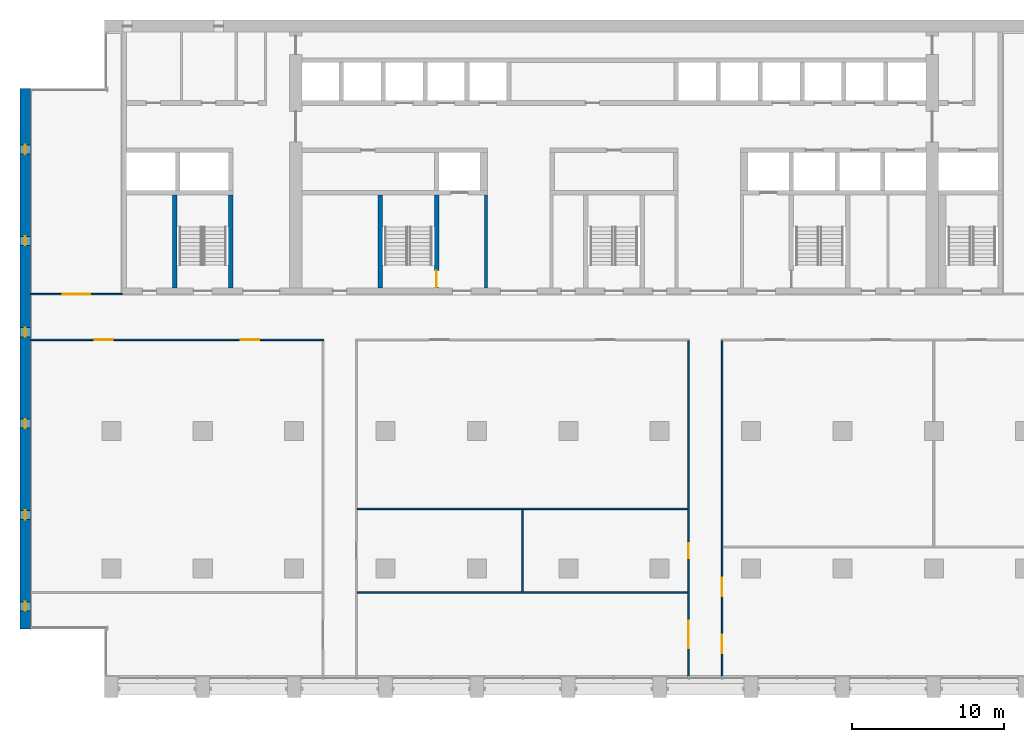
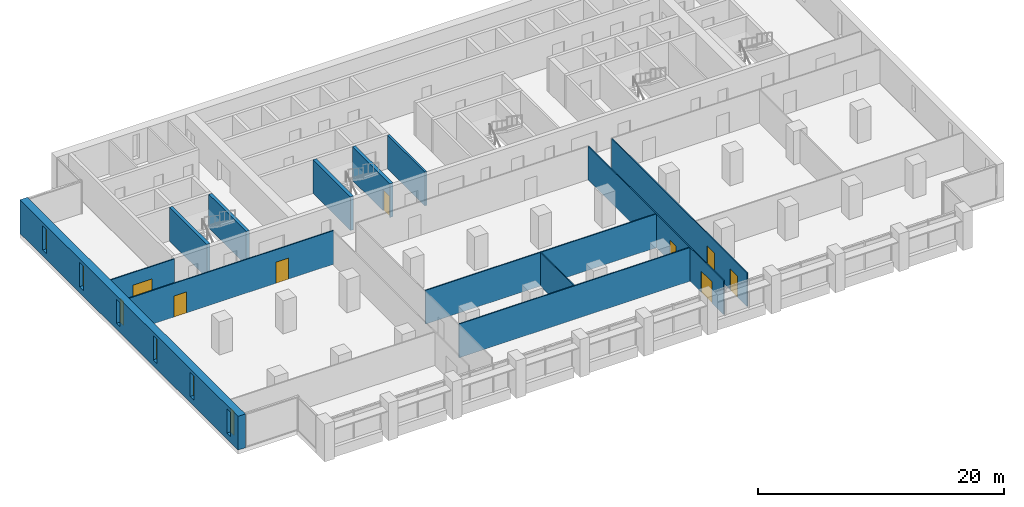
# One storey, part 8 of 15: 13 walls, 8 doors, 6 windows, 14 openings.
"""IFC4 building model written with IfcOpenShell, lengths in metres."""

from ifc_helpers import new_model, si_unit, direction, frame, frame_2d, origin, place, context, subcontext, project, spatial, rectangle, extrude, material, layer, layer_set, type_object, element, fill, save


model = new_model("IFC4")

# Units and contexts
model_context = context("Model", 3, precision=1e-05, world=origin(), true_north=direction((0.0, 1.0)))
body_context = subcontext(model_context, "Body", "Model", "MODEL_VIEW")
ifc_project = project(units=[si_unit("LENGTHUNIT", "METRE"), si_unit("AREAUNIT", "SQUARE_METRE"), si_unit("VOLUMEUNIT", "CUBIC_METRE"), si_unit("PLANEANGLEUNIT", "RADIAN"), si_unit("MASSUNIT", "GRAM", prefix="KILO")], contexts=[model_context])

# Site, building, storey
site_placement = place(None, origin())
site = spatial("IfcSite", under=ifc_project, at=site_placement, CompositionType="ELEMENT")
building_placement = place(site_placement, origin())
building = spatial("IfcBuilding", under=site, at=building_placement, Name="Calvaro Tower", CompositionType="ELEMENT")
storey_placement = place(building_placement, frame((0.0, 0.0, 143.75)))
storey = spatial("IfcBuildingStorey", under=building, at=storey_placement, Name="L36", CompositionType="ELEMENT", Elevation=143.75)

# Walls
ifc_material_1 = material(Name="Blockwork partition", Category="masonry")
ifc_layer_1 = layer(ifc_material_1, 0.199951171875)
ifc_layer_set_1 = layer_set([ifc_layer_1], Name="Blockwork partition")
wall_type_1 = type_object("IfcWallType", Name="Core partition 200 REI 120", PredefinedType="PARTITIONING", material=ifc_layer_set_1)
wall_1_placement = place(storey_placement, frame((30.60009765625, 28.39990234375, 0.0), z_axis=(0.0, 0.0, 1.0), x_axis=(0.0, 1.0, 0.0)))
element("IfcWall", 1, at=wall_1_placement, inside=storey, type_object=wall_type_1, Name="Core partition", PredefinedType="PARTITIONING", context=body_context, shape_type="SweptSolid", body=[
    extrude(rectangle(XDim=6.10009765625, YDim=0.199951171875, at=frame_2d((3.050048828125, 0.0))), origin(), (0.0, 0.0, 1.0), 3.35009765625),
])
ifc_material_2 = material(Name="Concrete C60/75", Category="concrete")
ifc_layer_2 = layer(ifc_material_2, 0.300048828125)
ifc_layer_set_2 = layer_set([ifc_layer_2], Name="Concrete C60/75")
wall_type_2 = type_object("IfcWallType", Name="Core wall C60/75 300", PredefinedType="SHEAR", material=ifc_layer_set_2)
for number, where, z_axis, x_axis, name in (
    (2, (10.14990234375, 28.39990234375, 0.0), (0.0, 0.0, 1.0), (0.0, 1.0, 0.0), "Core wall, stair enclosure"),
    (3, (13.85009765625, 28.39990234375, 0.0), (0.0, 0.0, 1.0), (0.0, 1.0, 0.0), "Core wall, stair enclosure"),
    (4, (23.64990234375, 28.39990234375, 0.0), (0.0, 0.0, 1.0), (0.0, 1.0, 0.0), "Core wall, stair enclosure"),
):
    element("IfcWall", number, at=place(storey_placement, frame(where, z_axis=z_axis, x_axis=x_axis)), inside=storey, type_object=wall_type_2, Name=name, PredefinedType="SHEAR", context=body_context, shape_type="SweptSolid", body=[
        extrude(rectangle(XDim=6.10009765625, YDim=0.300048828125, at=frame_2d((3.050048828125, 0.0))), origin(), (0.0, 0.0, 1.0), 3.35009765625),
    ])

# Wall, opening, door
wall_2_placement = place(storey_placement, frame((27.35009765625, 28.39990234375, 0.0), z_axis=(0.0, 0.0, 1.0), x_axis=(0.0, 1.0, 0.0)))
wall_2 = element("IfcWall", 5, at=wall_2_placement, inside=storey, type_object=wall_type_2, Name="Core wall, stair enclosure", PredefinedType="SHEAR", context=body_context, shape_type="SweptSolid", body=[
    extrude(rectangle(XDim=6.10009765625, YDim=0.300048828125, at=frame_2d((3.050048828125, 0.0))), origin(), (0.0, 0.0, 1.0), 3.35009765625),
])
opening_1_placement = place(wall_2_placement, frame((0.050048828125, 0.0, 0.0)))
opening_1 = element("IfcOpeningElement", 6, at=opening_1_placement, cuts=wall_2, Name="Opening FD11D", PredefinedType="OPENING", context=body_context, shape_type="SweptSolid", body=[
    extrude(rectangle(XDim=1.10009765625, YDim=2.10009765625, at=frame_2d((0.550048828125, 1.050048828125))), frame((0.0, 0.159912109375, 0.0), z_axis=(0.0, -1.0, 0.0), x_axis=(1.0, 0.0, 0.0)), (0.0, 0.0, 1.0), 0.320068359375),
])
ifc_material_3 = material(Name="Steel door set", Category="steel")
door_type_1 = type_object("IfcDoorType", Name="Fire door 1100 FD30S", OperationType="SINGLE_SWING_LEFT", PredefinedType="DOOR", material=ifc_material_3)
door_1_placement = place(opening_1_placement, origin())
door_1 = element("IfcDoor", 7, at=door_1_placement, inside=storey, type_object=door_type_1, Name="Fire door", OperationType="SINGLE_SWING_LEFT", OverallHeight=2.10009765625, OverallWidth=1.10009765625, PredefinedType="DOOR", context=body_context, shape_type="SweptSolid", body=[
    extrude(rectangle(XDim=1.10009765625, YDim=2.10009765625, at=frame_2d((0.550048828125, 1.050048828125))), frame((0.0, 0.02490234375, 0.0), z_axis=(0.0, -1.0, 0.0), x_axis=(1.0, 0.0, 0.0)), (0.0, 0.0, 1.0), 0.050048828125),
])
fill(opening_1, door_1)

# Wall, openings, windows
ifc_material_4 = material(Name="Concrete C60/75", Category="concrete")
ifc_layer_3 = layer(ifc_material_4, 0.699951171875)
ifc_layer_set_3 = layer_set([ifc_layer_3], Name="Concrete C60/75")
wall_type_3 = type_object("IfcWallType", Name="End wall 700 C60/75", PredefinedType="SHEAR", material=ifc_layer_set_3)
wall_3_placement = place(storey_placement, frame((0.35009765625, 6.0, 0.0), z_axis=(0.0, 0.0, 1.0), x_axis=(0.0, 1.0, 0.0)))
wall_3 = element("IfcWall", 8, at=wall_3_placement, inside=storey, type_object=wall_type_3, Name="End shear wall", PredefinedType="SHEAR", context=body_context, shape_type="SweptSolid", body=[
    extrude(rectangle(XDim=35.5, YDim=0.699951171875, at=frame_2d((17.75, 0.0))), origin(), (0.0, 0.0, 1.0), 3.35009765625),
])
opening_2_placement = place(wall_3_placement, frame((1.199951171875, 0.0, 0.60009765625)))
opening_2 = element("IfcOpeningElement", 9, at=opening_2_placement, cuts=wall_3, Name="Opening WW01", PredefinedType="OPENING", context=body_context, shape_type="SweptSolid", body=[
    extrude(rectangle(XDim=0.60009765625, YDim=2.39990234375, at=frame_2d((0.300048828125, 1.199951171875))), frame((0.0, 0.35986328125, 0.0), z_axis=(0.0, -1.0, 0.0), x_axis=(1.0, 0.0, 0.0)), (0.0, 0.0, 1.0), 0.719970703125),
])
opening_3_placement = place(wall_3_placement, frame((7.199951171875, 0.0, 0.60009765625)))
opening_3 = element("IfcOpeningElement", 10, at=opening_3_placement, cuts=wall_3, Name="Opening WW02", PredefinedType="OPENING", context=body_context, shape_type="SweptSolid", body=[
    extrude(rectangle(XDim=0.60009765625, YDim=2.39990234375, at=frame_2d((0.300048828125, 1.199951171875))), frame((0.0, 0.35986328125, 0.0), z_axis=(0.0, -1.0, 0.0), x_axis=(1.0, 0.0, 0.0)), (0.0, 0.0, 1.0), 0.719970703125),
])
opening_4_placement = place(wall_3_placement, frame((13.199951171875, 0.0, 0.60009765625)))
opening_4 = element("IfcOpeningElement", 11, at=opening_4_placement, cuts=wall_3, Name="Opening WW03", PredefinedType="OPENING", context=body_context, shape_type="SweptSolid", body=[
    extrude(rectangle(XDim=0.60009765625, YDim=2.39990234375, at=frame_2d((0.300048828125, 1.199951171875))), frame((0.0, 0.35986328125, 0.0), z_axis=(0.0, -1.0, 0.0), x_axis=(1.0, 0.0, 0.0)), (0.0, 0.0, 1.0), 0.719970703125),
])
opening_5_placement = place(wall_3_placement, frame((19.199951171875, 0.0, 0.60009765625)))
opening_5 = element("IfcOpeningElement", 12, at=opening_5_placement, cuts=wall_3, Name="Opening WW04", PredefinedType="OPENING", context=body_context, shape_type="SweptSolid", body=[
    extrude(rectangle(XDim=0.60009765625, YDim=2.39990234375, at=frame_2d((0.300048828125, 1.199951171875))), frame((0.0, 0.35986328125, 0.0), z_axis=(0.0, -1.0, 0.0), x_axis=(1.0, 0.0, 0.0)), (0.0, 0.0, 1.0), 0.719970703125),
])
opening_6_placement = place(wall_3_placement, frame((25.199951171875, 0.0, 0.60009765625)))
opening_6 = element("IfcOpeningElement", 13, at=opening_6_placement, cuts=wall_3, Name="Opening WW05", PredefinedType="OPENING", context=body_context, shape_type="SweptSolid", body=[
    extrude(rectangle(XDim=0.60009765625, YDim=2.39990234375, at=frame_2d((0.300048828125, 1.199951171875))), frame((0.0, 0.35986328125, 0.0), z_axis=(0.0, -1.0, 0.0), x_axis=(1.0, 0.0, 0.0)), (0.0, 0.0, 1.0), 0.719970703125),
])
opening_7_placement = place(wall_3_placement, frame((31.199951171875, 0.0, 0.60009765625)))
opening_7 = element("IfcOpeningElement", 14, at=opening_7_placement, cuts=wall_3, Name="Opening WW06", PredefinedType="OPENING", context=body_context, shape_type="SweptSolid", body=[
    extrude(rectangle(XDim=0.60009765625, YDim=2.39990234375, at=frame_2d((0.300048828125, 1.199951171875))), frame((0.0, 0.35986328125, 0.0), z_axis=(0.0, -1.0, 0.0), x_axis=(1.0, 0.0, 0.0)), (0.0, 0.0, 1.0), 0.719970703125),
])
ifc_material_5 = material(Name="Glass", Category="glass")
window_type = type_object("IfcWindowType", Name="Slit window 600 x 2400", PartitioningType="SINGLE_PANEL", PredefinedType="WINDOW", material=ifc_material_5)
window_1_placement = place(opening_2_placement, origin())
window_1 = element("IfcWindow", 15, at=window_1_placement, inside=storey, type_object=window_type, Name="Window WW01", OverallHeight=2.39990234375, OverallWidth=0.60009765625, PartitioningType="SINGLE_PANEL", PredefinedType="WINDOW", context=body_context, shape_type="SweptSolid", body=[
    extrude(rectangle(XDim=0.60009765625, YDim=2.39990234375, at=frame_2d((0.300048828125, 1.199951171875))), frame((0.0, 0.030029296875, 0.0), z_axis=(0.0, -1.0, 0.0), x_axis=(1.0, 0.0, 0.0)), (0.0, 0.0, 1.0), 0.06005859375),
])
fill(opening_2, window_1)
window_2_placement = place(opening_3_placement, origin())
window_2 = element("IfcWindow", 16, at=window_2_placement, inside=storey, type_object=window_type, Name="Window WW02", OverallHeight=2.39990234375, OverallWidth=0.60009765625, PartitioningType="SINGLE_PANEL", PredefinedType="WINDOW", context=body_context, shape_type="SweptSolid", body=[
    extrude(rectangle(XDim=0.60009765625, YDim=2.39990234375, at=frame_2d((0.300048828125, 1.199951171875))), frame((0.0, 0.030029296875, 0.0), z_axis=(0.0, -1.0, 0.0), x_axis=(1.0, 0.0, 0.0)), (0.0, 0.0, 1.0), 0.06005859375),
])
fill(opening_3, window_2)
window_3_placement = place(opening_4_placement, origin())
window_3 = element("IfcWindow", 17, at=window_3_placement, inside=storey, type_object=window_type, Name="Window WW03", OverallHeight=2.39990234375, OverallWidth=0.60009765625, PartitioningType="SINGLE_PANEL", PredefinedType="WINDOW", context=body_context, shape_type="SweptSolid", body=[
    extrude(rectangle(XDim=0.60009765625, YDim=2.39990234375, at=frame_2d((0.300048828125, 1.199951171875))), frame((0.0, 0.030029296875, 0.0), z_axis=(0.0, -1.0, 0.0), x_axis=(1.0, 0.0, 0.0)), (0.0, 0.0, 1.0), 0.06005859375),
])
fill(opening_4, window_3)
window_4_placement = place(opening_5_placement, origin())
window_4 = element("IfcWindow", 18, at=window_4_placement, inside=storey, type_object=window_type, Name="Window WW04", OverallHeight=2.39990234375, OverallWidth=0.60009765625, PartitioningType="SINGLE_PANEL", PredefinedType="WINDOW", context=body_context, shape_type="SweptSolid", body=[
    extrude(rectangle(XDim=0.60009765625, YDim=2.39990234375, at=frame_2d((0.300048828125, 1.199951171875))), frame((0.0, 0.030029296875, 0.0), z_axis=(0.0, -1.0, 0.0), x_axis=(1.0, 0.0, 0.0)), (0.0, 0.0, 1.0), 0.06005859375),
])
fill(opening_5, window_4)
window_5_placement = place(opening_6_placement, origin())
window_5 = element("IfcWindow", 19, at=window_5_placement, inside=storey, type_object=window_type, Name="Window WW05", OverallHeight=2.39990234375, OverallWidth=0.60009765625, PartitioningType="SINGLE_PANEL", PredefinedType="WINDOW", context=body_context, shape_type="SweptSolid", body=[
    extrude(rectangle(XDim=0.60009765625, YDim=2.39990234375, at=frame_2d((0.300048828125, 1.199951171875))), frame((0.0, 0.030029296875, 0.0), z_axis=(0.0, -1.0, 0.0), x_axis=(1.0, 0.0, 0.0)), (0.0, 0.0, 1.0), 0.06005859375),
])
fill(opening_6, window_5)
window_6_placement = place(opening_7_placement, origin())
window_6 = element("IfcWindow", 20, at=window_6_placement, inside=storey, type_object=window_type, Name="Window WW06", OverallHeight=2.39990234375, OverallWidth=0.60009765625, PartitioningType="SINGLE_PANEL", PredefinedType="WINDOW", context=body_context, shape_type="SweptSolid", body=[
    extrude(rectangle(XDim=0.60009765625, YDim=2.39990234375, at=frame_2d((0.300048828125, 1.199951171875))), frame((0.0, 0.030029296875, 0.0), z_axis=(0.0, -1.0, 0.0), x_axis=(1.0, 0.0, 0.0)), (0.0, 0.0, 1.0), 0.06005859375),
])
fill(opening_7, window_6)

# Walls
ifc_material_6 = material(Name="Plasterboard on steel studs", Category="steel")
ifc_layer_4 = layer(ifc_material_6, 0.10009765625)
ifc_layer_set_4 = layer_set([ifc_layer_4], Name="Plasterboard on steel studs")
wall_type_4 = type_object("IfcWallType", Name="Partition 100", PredefinedType="PARTITIONING", material=ifc_layer_set_4)
for number, where, z_axis, x_axis, name in (
    (21, (22.14990234375, 8.39990234375, 0.0), (0.0, 0.0, 1.0), (1.0, 0.0, 0.0), "Partition T22.W002"),
    (22, (22.14990234375, 13.89990234375, 0.0), (0.0, 0.0, 1.0), (1.0, 0.0, 0.0), "Partition T22.W004"),
):
    element("IfcWall", number, at=place(storey_placement, frame(where, z_axis=z_axis, x_axis=x_axis)), inside=storey, type_object=wall_type_4, Name=name, PredefinedType="PARTITIONING", context=body_context, shape_type="SweptSolid", body=[
        extrude(rectangle(XDim=21.7001953125, YDim=0.10009765625, at=frame_2d((10.85009765625, 0.0))), origin(), (0.0, 0.0, 1.0), 3.35009765625),
    ])

# Wall, openings, doors
wall_4_placement = place(storey_placement, frame((0.699951171875, 25.0, 0.0), z_axis=(0.0, 0.0, 1.0), x_axis=(1.0, 0.0, 0.0)))
wall_4 = element("IfcWall", 23, at=wall_4_placement, inside=storey, type_object=wall_type_4, Name="Partition T22.W005", PredefinedType="PARTITIONING", context=body_context, shape_type="SweptSolid", body=[
    extrude(rectangle(XDim=19.25, YDim=0.10009765625, at=frame_2d((9.625, 0.0))), origin(), (0.0, 0.0, 1.0), 3.35009765625),
])
opening_8_placement = place(wall_4_placement, frame((4.199951171875, 0.0, 0.0)))
opening_8 = element("IfcOpeningElement", 24, at=opening_8_placement, cuts=wall_4, Name="Opening T22.007", PredefinedType="OPENING", context=body_context, shape_type="SweptSolid", body=[
    extrude(rectangle(XDim=1.199951171875, YDim=2.10009765625, at=frame_2d((0.60009765625, 1.050048828125))), frame((0.0, 0.06005859375, 0.0), z_axis=(0.0, -1.0, 0.0), x_axis=(1.0, 0.0, 0.0)), (0.0, 0.0, 1.0), 0.1201171875),
])
opening_9_placement = place(wall_4_placement, frame((13.800048828125, 0.0, 0.0)))
opening_9 = element("IfcOpeningElement", 25, at=opening_9_placement, cuts=wall_4, Name="Opening T22.008", PredefinedType="OPENING", context=body_context, shape_type="SweptSolid", body=[
    extrude(rectangle(XDim=1.199951171875, YDim=2.10009765625, at=frame_2d((0.60009765625, 1.050048828125))), frame((0.0, 0.06005859375, 0.0), z_axis=(0.0, -1.0, 0.0), x_axis=(1.0, 0.0, 0.0)), (0.0, 0.0, 1.0), 0.1201171875),
])
ifc_material_7 = material(Name="Timber", Category="wood")
door_type_2 = type_object("IfcDoorType", Name="Internal single door 1200 x 2100", OperationType="SINGLE_SWING_LEFT", PredefinedType="DOOR", material=ifc_material_7)
door_2_placement = place(opening_8_placement, origin())
door_2 = element("IfcDoor", 26, at=door_2_placement, inside=storey, type_object=door_type_2, Name="Door T22.007", OperationType="SINGLE_SWING_LEFT", OverallHeight=2.10009765625, OverallWidth=1.199951171875, PredefinedType="DOOR", context=body_context, shape_type="SweptSolid", body=[
    extrude(rectangle(XDim=1.199951171875, YDim=2.10009765625, at=frame_2d((0.60009765625, 1.050048828125))), frame((0.0, 0.02490234375, 0.0), z_axis=(0.0, -1.0, 0.0), x_axis=(1.0, 0.0, 0.0)), (0.0, 0.0, 1.0), 0.050048828125),
])
fill(opening_8, door_2)
door_3_placement = place(opening_9_placement, origin())
door_3 = element("IfcDoor", 27, at=door_3_placement, inside=storey, type_object=door_type_2, Name="Door T22.008", OperationType="SINGLE_SWING_RIGHT", OverallHeight=2.10009765625, OverallWidth=1.199951171875, PredefinedType="DOOR", context=body_context, shape_type="SweptSolid", body=[
    extrude(rectangle(XDim=1.199951171875, YDim=2.10009765625, at=frame_2d((0.60009765625, 1.050048828125))), frame((0.0, 0.02490234375, 0.0), z_axis=(0.0, -1.0, 0.0), x_axis=(1.0, 0.0, 0.0)), (0.0, 0.0, 1.0), 0.050048828125),
])
fill(opening_9, door_3)

# Wall, opening, door
wall_5_placement = place(storey_placement, frame((0.699951171875, 28.0, 0.0), z_axis=(0.0, 0.0, 1.0), x_axis=(1.0, 0.0, 0.0)))
wall_5 = element("IfcWall", 28, at=wall_5_placement, inside=storey, type_object=wall_type_4, Name="Partition T22.W008", PredefinedType="PARTITIONING", context=body_context, shape_type="SweptSolid", body=[
    extrude(rectangle(XDim=6.0, YDim=0.10009765625, at=frame_2d((3.0, 0.0))), origin(), (0.0, 0.0, 1.0), 3.35009765625),
])
opening_10_placement = place(wall_5_placement, frame((2.10009765625, 0.0, 0.0)))
opening_10 = element("IfcOpeningElement", 29, at=opening_10_placement, cuts=wall_5, Name="Opening T22.015", PredefinedType="OPENING", context=body_context, shape_type="SweptSolid", body=[
    extrude(rectangle(XDim=1.800048828125, YDim=2.10009765625, at=frame_2d((0.89990234375, 1.050048828125))), frame((0.0, 0.06005859375, 0.0), z_axis=(0.0, -1.0, 0.0), x_axis=(1.0, 0.0, 0.0)), (0.0, 0.0, 1.0), 0.1201171875),
])
ifc_material_8 = material(Name="Timber", Category="wood")
door_type_3 = type_object("IfcDoorType", Name="Internal double door 1800 x 2100", OperationType="DOUBLE_DOOR_SINGLE_SWING", PredefinedType="DOOR", material=ifc_material_8)
door_4_placement = place(opening_10_placement, origin())
door_4 = element("IfcDoor", 30, at=door_4_placement, inside=storey, type_object=door_type_3, Name="Door T22.015", OperationType="DOUBLE_DOOR_SINGLE_SWING", OverallHeight=2.10009765625, OverallWidth=1.800048828125, PredefinedType="DOOR", context=body_context, shape_type="SweptSolid", body=[
    extrude(rectangle(XDim=1.800048828125, YDim=2.10009765625, at=frame_2d((0.89990234375, 1.050048828125))), frame((0.0, 0.02490234375, 0.0), z_axis=(0.0, -1.0, 0.0), x_axis=(1.0, 0.0, 0.0)), (0.0, 0.0, 1.0), 0.050048828125),
])
fill(opening_10, door_4)

# Wall
wall_6_placement = place(storey_placement, frame((33.0, 8.449951171875, 0.0), z_axis=(0.0, 0.0, 1.0), x_axis=(0.0, 1.0, 0.0)))
element("IfcWall", 31, at=wall_6_placement, inside=storey, type_object=wall_type_4, Name="Partition T22.W012", PredefinedType="PARTITIONING", context=body_context, shape_type="SweptSolid", body=[
    extrude(rectangle(XDim=5.400146484375, YDim=0.10009765625, at=frame_2d((2.7001953125, 0.0))), origin(), (0.0, 0.0, 1.0), 3.35009765625),
])

# Wall, openings, doors
wall_7_placement = place(storey_placement, frame((43.89990234375, 2.89990234375, 0.0), z_axis=(0.0, 0.0, 1.0), x_axis=(0.0, 1.0, 0.0)))
wall_7 = element("IfcWall", 32, at=wall_7_placement, inside=storey, type_object=wall_type_4, Name="Partition T22.W013", PredefinedType="PARTITIONING", context=body_context, shape_type="SweptSolid", body=[
    extrude(rectangle(XDim=22.050048828125, YDim=0.10009765625, at=frame_2d((11.02490234375, 0.0))), origin(), (0.0, 0.0, 1.0), 3.35009765625),
])
opening_11_placement = place(wall_7_placement, frame((1.85009765625, 0.0, 0.0)))
opening_11 = element("IfcOpeningElement", 33, at=opening_11_placement, cuts=wall_7, Name="Opening T22.001", PredefinedType="OPENING", context=body_context, shape_type="SweptSolid", body=[
    extrude(rectangle(XDim=1.800048828125, YDim=2.10009765625, at=frame_2d((0.89990234375, 1.050048828125))), frame((0.0, 0.06005859375, 0.0), z_axis=(0.0, -1.0, 0.0), x_axis=(1.0, 0.0, 0.0)), (0.0, 0.0, 1.0), 0.1201171875),
])
opening_12_placement = place(wall_7_placement, frame((7.75, 0.0, 0.0)))
opening_12 = element("IfcOpeningElement", 34, at=opening_12_placement, cuts=wall_7, Name="Opening T22.006", PredefinedType="OPENING", context=body_context, shape_type="SweptSolid", body=[
    extrude(rectangle(XDim=1.0, YDim=2.10009765625, at=frame_2d((0.5, 1.050048828125))), frame((0.0, 0.06005859375, 0.0), z_axis=(0.0, -1.0, 0.0), x_axis=(1.0, 0.0, 0.0)), (0.0, 0.0, 1.0), 0.1201171875),
])
door_5_placement = place(opening_11_placement, origin())
door_5 = element("IfcDoor", 35, at=door_5_placement, inside=storey, type_object=door_type_3, Name="Door T22.001", OperationType="DOUBLE_DOOR_SINGLE_SWING", OverallHeight=2.10009765625, OverallWidth=1.800048828125, PredefinedType="DOOR", context=body_context, shape_type="SweptSolid", body=[
    extrude(rectangle(XDim=1.800048828125, YDim=2.10009765625, at=frame_2d((0.89990234375, 1.050048828125))), frame((0.0, 0.02490234375, 0.0), z_axis=(0.0, -1.0, 0.0), x_axis=(1.0, 0.0, 0.0)), (0.0, 0.0, 1.0), 0.050048828125),
])
fill(opening_11, door_5)
ifc_material_9 = material(Name="Timber", Category="wood")
door_type_4 = type_object("IfcDoorType", Name="Internal single door 1000 x 2100", OperationType="SINGLE_SWING_LEFT", PredefinedType="DOOR", material=ifc_material_9)
door_6_placement = place(opening_12_placement, origin())
door_6 = element("IfcDoor", 36, at=door_6_placement, inside=storey, type_object=door_type_4, Name="Door T22.006", OperationType="SINGLE_SWING_LEFT", OverallHeight=2.10009765625, OverallWidth=1.0, PredefinedType="DOOR", context=body_context, shape_type="SweptSolid", body=[
    extrude(rectangle(XDim=1.0, YDim=2.10009765625, at=frame_2d((0.5, 1.050048828125))), frame((0.0, 0.02490234375, 0.0), z_axis=(0.0, -1.0, 0.0), x_axis=(1.0, 0.0, 0.0)), (0.0, 0.0, 1.0), 0.050048828125),
])
fill(opening_12, door_6)

wall_8_placement = place(storey_placement, frame((46.10009765625, 2.89990234375, 0.0), z_axis=(0.0, 0.0, 1.0), x_axis=(0.0, 1.0, 0.0)))
wall_8 = element("IfcWall", 37, at=wall_8_placement, inside=storey, type_object=wall_type_4, Name="Partition T22.W014", PredefinedType="PARTITIONING", context=body_context, shape_type="SweptSolid", body=[
    extrude(rectangle(XDim=22.050048828125, YDim=0.10009765625, at=frame_2d((11.02490234375, 0.0))), origin(), (0.0, 0.0, 1.0), 3.35009765625),
])
opening_13_placement = place(wall_8_placement, frame((1.52490234375, 0.0, 0.0)))
opening_13 = element("IfcOpeningElement", 38, at=opening_13_placement, cuts=wall_8, Name="Opening T22.003", PredefinedType="OPENING", context=body_context, shape_type="SweptSolid", body=[
    extrude(rectangle(XDim=1.199951171875, YDim=2.10009765625, at=frame_2d((0.60009765625, 1.050048828125))), frame((0.0, 0.06005859375, 0.0), z_axis=(0.0, -1.0, 0.0), x_axis=(1.0, 0.0, 0.0)), (0.0, 0.0, 1.0), 0.1201171875),
])
opening_14_placement = place(wall_8_placement, frame((5.27490234375, 0.0, 0.0)))
opening_14 = element("IfcOpeningElement", 39, at=opening_14_placement, cuts=wall_8, Name="Opening T22.004", PredefinedType="OPENING", context=body_context, shape_type="SweptSolid", body=[
    extrude(rectangle(XDim=1.199951171875, YDim=2.10009765625, at=frame_2d((0.60009765625, 1.050048828125))), frame((0.0, 0.06005859375, 0.0), z_axis=(0.0, -1.0, 0.0), x_axis=(1.0, 0.0, 0.0)), (0.0, 0.0, 1.0), 0.1201171875),
])
door_7_placement = place(opening_13_placement, origin())
door_7 = element("IfcDoor", 40, at=door_7_placement, inside=storey, type_object=door_type_2, Name="Door T22.003", OperationType="SINGLE_SWING_LEFT", OverallHeight=2.10009765625, OverallWidth=1.199951171875, PredefinedType="DOOR", context=body_context, shape_type="SweptSolid", body=[
    extrude(rectangle(XDim=1.199951171875, YDim=2.10009765625, at=frame_2d((0.60009765625, 1.050048828125))), frame((0.0, 0.02490234375, 0.0), z_axis=(0.0, -1.0, 0.0), x_axis=(1.0, 0.0, 0.0)), (0.0, 0.0, 1.0), 0.050048828125),
])
fill(opening_13, door_7)
door_8_placement = place(opening_14_placement, origin())
door_8 = element("IfcDoor", 41, at=door_8_placement, inside=storey, type_object=door_type_2, Name="Door T22.004", OperationType="SINGLE_SWING_LEFT", OverallHeight=2.10009765625, OverallWidth=1.199951171875, PredefinedType="DOOR", context=body_context, shape_type="SweptSolid", body=[
    extrude(rectangle(XDim=1.199951171875, YDim=2.10009765625, at=frame_2d((0.60009765625, 1.050048828125))), frame((0.0, 0.02490234375, 0.0), z_axis=(0.0, -1.0, 0.0), x_axis=(1.0, 0.0, 0.0)), (0.0, 0.0, 1.0), 0.050048828125),
])
fill(opening_14, door_8)

save(model, "model.ifc")
